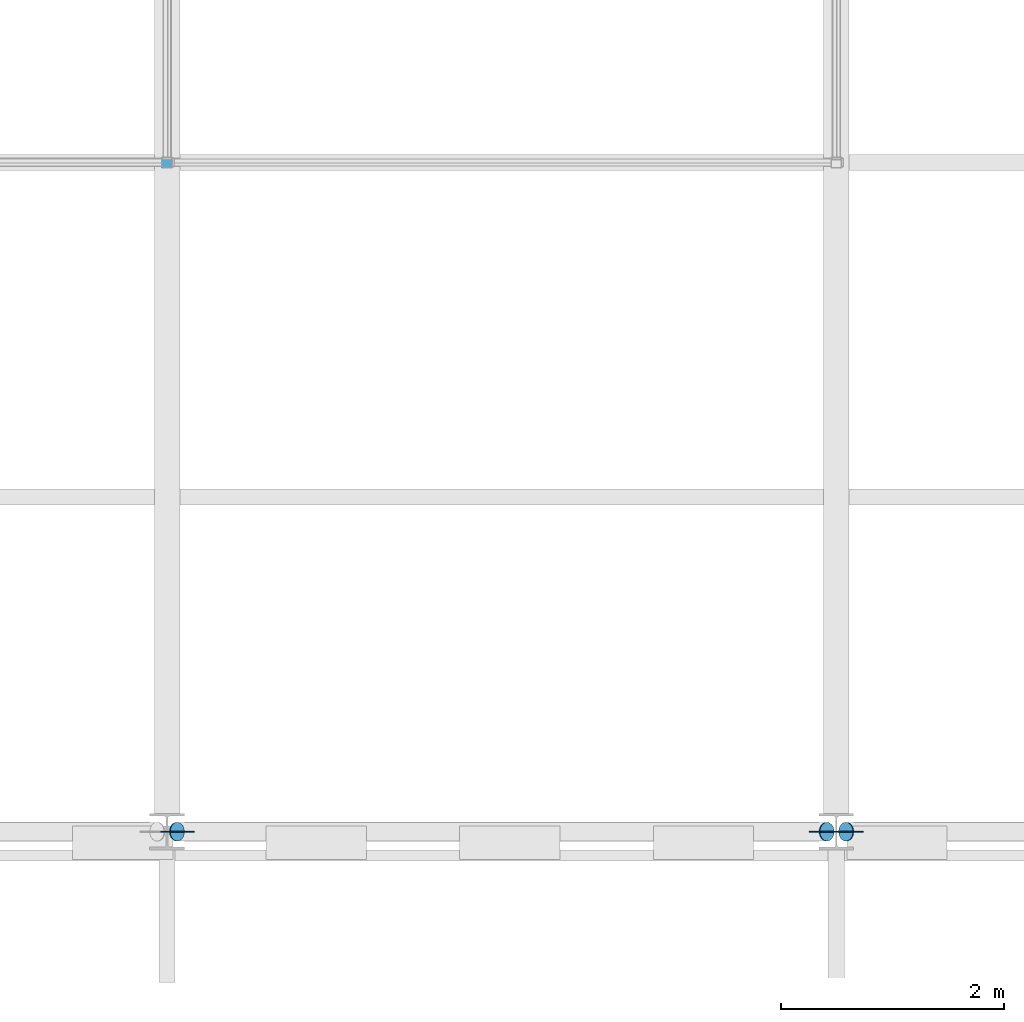
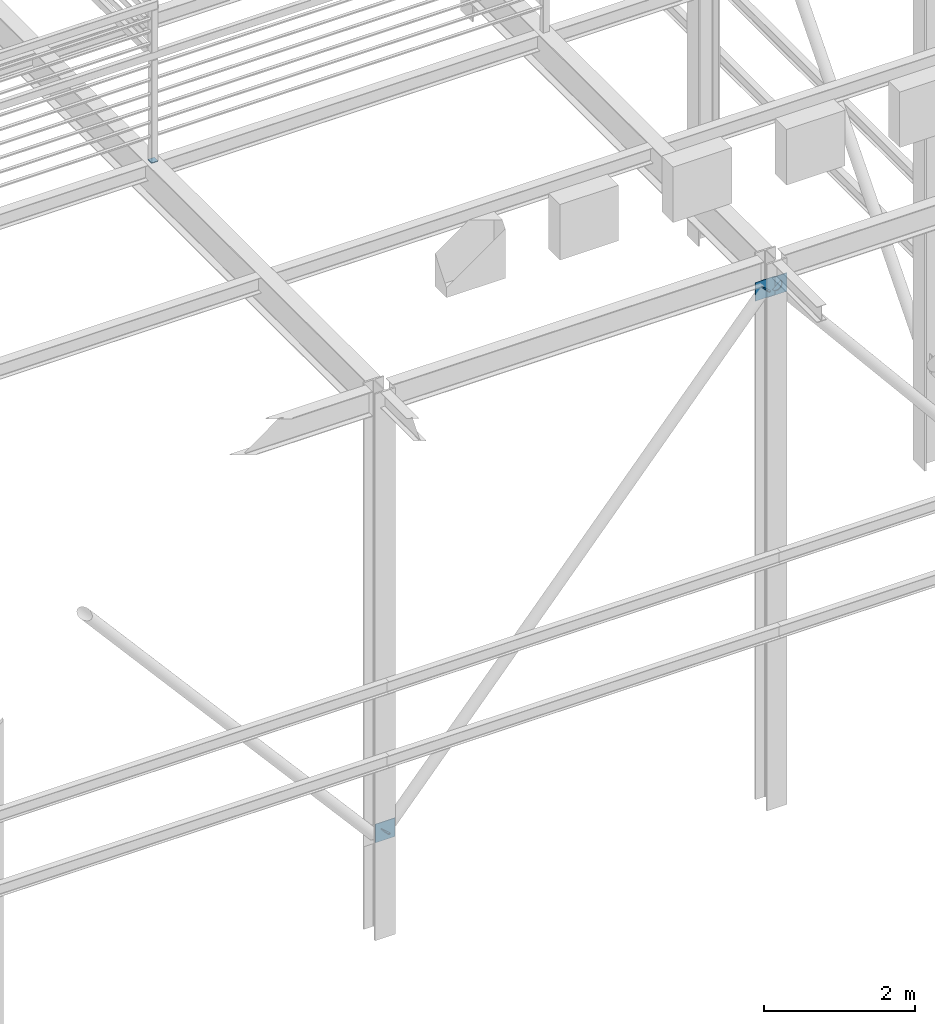
# One storey, part 41 of 57: 7 discrete accessories.
"""IFC4 building model written with IfcOpenShell, lengths in metres."""

from ifc_helpers import new_model, si_unit, direction, frame, origin, origin_2d, place, context, subcontext, project, spatial, rectangle, circle, extrude, material, material_profile, profile_set, type_object, element, save


model = new_model("IFC4")

# Units and contexts
model_context = context("Model", 3, precision=1e-05, world=origin(), true_north=direction((0.0, 1.0)))
body_context = subcontext(model_context, "Body", "Model", "MODEL_VIEW")
ifc_project = project(units=[si_unit("LENGTHUNIT", "METRE"), si_unit("AREAUNIT", "SQUARE_METRE"), si_unit("VOLUMEUNIT", "CUBIC_METRE"), si_unit("PLANEANGLEUNIT", "RADIAN"), si_unit("MASSUNIT", "GRAM", prefix="KILO")], contexts=[model_context])

# Site, building, storey
site_placement = place(None, origin())
site = spatial("IfcSite", under=ifc_project, at=site_placement, CompositionType="ELEMENT")
building_placement = place(site_placement, origin())
building = spatial("IfcBuilding", under=site, at=building_placement, Name="Saffron Lane Theatres", CompositionType="ELEMENT")
storey_placement = place(building_placement, frame((0.0, 0.0, 28.0)))
storey = spatial("IfcBuildingStorey", under=building, at=storey_placement, Name="Upper Roof", CompositionType="ELEMENT", Elevation=28.0)

# Discrete accessories
ifc_material_1 = material(Name="Steel Grade 350", Category="steel")
ifc_material_profile_1 = material_profile(ifc_material_1, rectangle(XDim=0.300048828125, YDim=0.300048828125, at=origin_2d()))
ifc_profile_set_1 = profile_set([ifc_material_profile_1], Name="Steel Grade 350")
discrete_accessory_type_1 = type_object("IfcDiscreteAccessoryType", Name="ST-GUSSET CONNECTION PLATE", PredefinedType="BRACKET", material=ifc_profile_set_1)
for number, where, z_axis, x_axis, name in (
    (1, (36.091552734375, 30.2451171875, 1.60595703125), (0.0, 1.0, 0.0), (-1.0, 0.0, 0.0), "GB111"),
    (2, (41.908447265625, 30.2451171875, 8.338134765625), (0.0, 1.0, 0.0), (-1.0, 0.0, 0.0), "GB112"),
    (3, (42.0927734375, 30.2451171875, 8.33203125), (0.0, 1.0, 0.0), (-1.0, 0.0, 0.0), "GB116"),
):
    element("IfcDiscreteAccessory", number, at=place(storey_placement, frame(where, z_axis=z_axis, x_axis=x_axis)), inside=storey, type_object=discrete_accessory_type_1, Name=name, PredefinedType="BRACKET", context=body_context, shape_type="SweptSolid", body=[
        extrude(rectangle(XDim=0.300048828125, YDim=0.300048828125, at=origin_2d()), origin(), (0.0, 0.0, 1.0), 0.009765625),
    ])
ifc_material_2 = material(Name="Steel Grade 350", Category="steel")
ifc_material_profile_2 = material_profile(ifc_material_2, rectangle(XDim=0.10009765625, YDim=0.10009765625, at=origin_2d()))
ifc_profile_set_2 = profile_set([ifc_material_profile_2], Name="Steel Grade 350")
discrete_accessory_type_2 = type_object("IfcDiscreteAccessoryType", Name="ST-STEEL END CAP 100x100x6 SHS", PredefinedType="ANCHORPLATE", material=ifc_profile_set_2)
discrete_accessory_1_placement = place(storey_placement, frame((36.0, 36.25, 8.837890625), z_axis=(0.0, 0.0, 1.0), x_axis=(1.0, 0.0, 0.0)))
element("IfcDiscreteAccessory", 4, at=discrete_accessory_1_placement, inside=storey, type_object=discrete_accessory_type_2, Name="EC121", PredefinedType="ANCHORPLATE", context=body_context, shape_type="SweptSolid", body=[
    extrude(rectangle(XDim=0.10009765625, YDim=0.10009765625, at=origin_2d()), origin(), (0.0, 0.0, 1.0), 0.01220703125),
])
ifc_material_3 = material(Name="Steel Grade 350", Category="steel")
ifc_material_profile_3 = material_profile(ifc_material_3, circle(Radius=0.084228515625, at=origin_2d()))
ifc_profile_set_3 = profile_set([ifc_material_profile_3], Name="Steel Grade 350")
discrete_accessory_type_3 = type_object("IfcDiscreteAccessoryType", Name="ST-STEEL END CAP 168.3x6.4 CHS", PredefinedType="ANCHORPLATE", material=ifc_profile_set_3)
for number, where, z_axis, x_axis, name in (
    (5, (36.083740234375, 30.25, 1.596923828125), (0.654151932932, 0.0, 0.756363172452), (0.0, 1.0, 0.0), "EC57"),
    (6, (41.908447265625, 30.25, 8.338134765625), (0.654151932932, 0.0, 0.756363172452), (0.0, 1.0, 0.0), "EC58"),
):
    element("IfcDiscreteAccessory", number, at=place(storey_placement, frame(where, z_axis=z_axis, x_axis=x_axis)), inside=storey, type_object=discrete_accessory_type_3, Name=name, PredefinedType="ANCHORPLATE", context=body_context, shape_type="SweptSolid", body=[
        extrude(circle(Radius=0.084228515625, at=origin_2d()), origin(), (0.0, 0.0, 1.0), 0.011962890625),
    ])
discrete_accessory_2_placement = place(storey_placement, frame((42.0927734375, 30.25, 8.33203125), z_axis=(-0.644135745783, 0.0, 0.764911198117), x_axis=(0.0, -1.0, 0.0)))
element("IfcDiscreteAccessory", 7, at=discrete_accessory_2_placement, inside=storey, type_object=discrete_accessory_type_3, Name="EC62", PredefinedType="ANCHORPLATE", context=body_context, shape_type="SweptSolid", body=[
    extrude(circle(Radius=0.084228515625, at=origin_2d()), origin(), (0.0, 0.0, 1.0), 0.01220703125),
])

save(model, "model.ifc")
